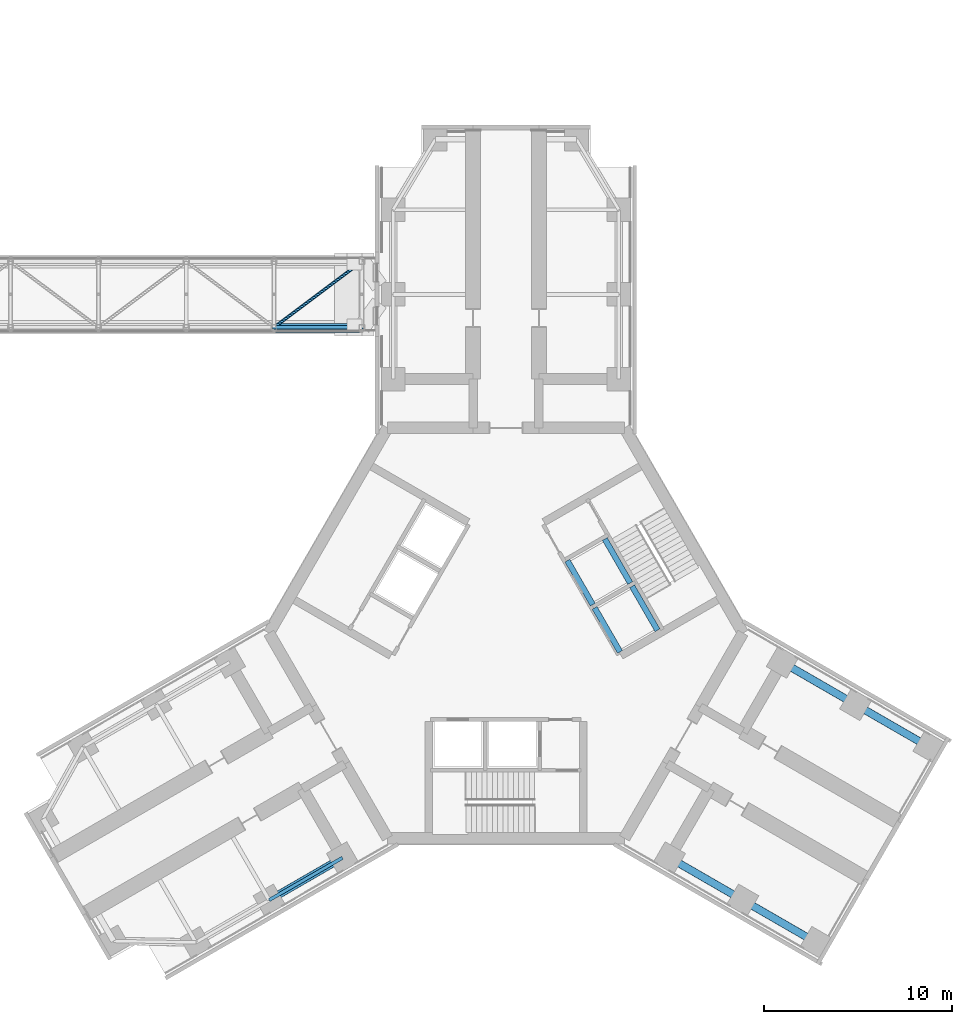
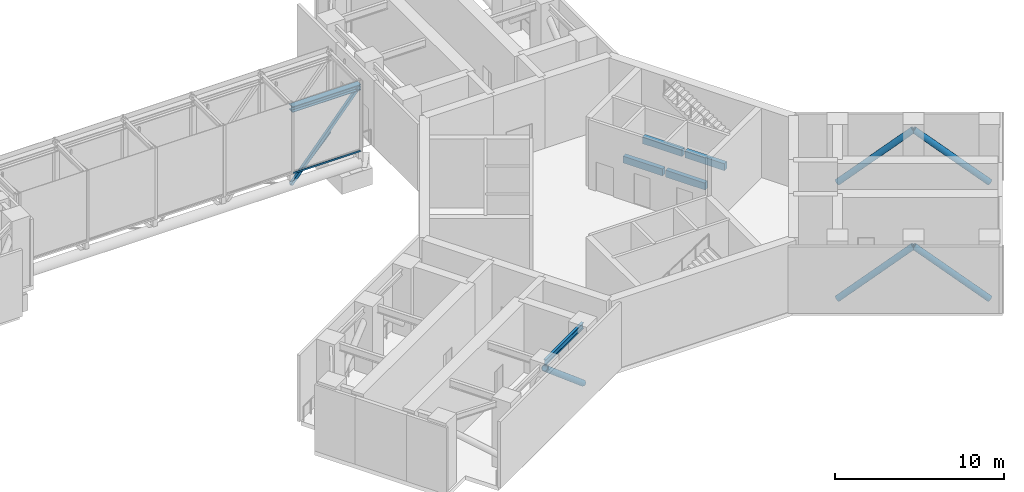
# One storey, part 4 of 15: 9 members, 5 beams, 1 element without a shape of its own.
"""IFC4 building model written with IfcOpenShell, lengths in metres."""

from ifc_helpers import new_model, si_unit, direction, frame, origin, origin_2d, place, context, subcontext, project, spatial, rectangle, hollow_rectangle, hollow_circle, i_section, extrude, material, material_profile, profile_set, type_object, element, aggregate, save


model = new_model("IFC4")

# Units and contexts
model_context = context("Model", 3, precision=1e-05, world=origin(), true_north=direction((0.0, 1.0)))
body_context = subcontext(model_context, "Body", "Model", "MODEL_VIEW")
ifc_project = project(units=[si_unit("LENGTHUNIT", "METRE"), si_unit("AREAUNIT", "SQUARE_METRE"), si_unit("VOLUMEUNIT", "CUBIC_METRE"), si_unit("PLANEANGLEUNIT", "RADIAN"), si_unit("MASSUNIT", "GRAM", prefix="KILO")], contexts=[model_context])

# Site, building, storey
site_placement = place(None, origin())
site = spatial("IfcSite", under=ifc_project, at=site_placement, CompositionType="ELEMENT")
building_placement = place(site_placement, origin())
building = spatial("IfcBuilding", under=site, at=building_placement, Name="Upepo Twin Towers", CompositionType="ELEMENT")
storey_placement = place(building_placement, frame((0.0, 0.0, 165.5)))
storey = spatial("IfcBuildingStorey", under=building, at=storey_placement, Name="L40", CompositionType="ELEMENT", Elevation=165.5)

# Beam
ifc_material_1 = material(Name="Steel S355", Category="steel")
ifc_material_profile_1 = material_profile(ifc_material_1, i_section(OverallWidth=0.177978515625, OverallDepth=0.406494140625, WebThickness=0.0078125, FlangeThickness=0.0126953125, FilletRadius=0.01025390625, at=origin_2d()), Name="UB 406x178x60")
ifc_profile_set_1 = profile_set([ifc_material_profile_1], Name="Steel S355")
beam_type_1 = type_object("IfcBeamType", Name="Beam UB 406x178x60", PredefinedType="BEAM", material=ifc_profile_set_1)
beam_1_placement = place(storey_placement, frame((49.80859375, -29.946044921875, 4.5966796875), z_axis=(-0.866017533419, -0.500013631625, 0.0), x_axis=(0.500013631625, -0.866017533419, 0.0)))
element("IfcBeam", 1, at=beam_1_placement, inside=storey, type_object=beam_type_1, Name="T2 edge beam BL 13.5-18.0", PredefinedType="BEAM", context=body_context, shape_type="SweptSolid", body=[
    extrude(i_section(OverallWidth=0.177978515625, OverallDepth=0.406494140625, WebThickness=0.0078125, FlangeThickness=0.0126953125, FilletRadius=0.01025390625, at=origin_2d()), origin(), (0.0, 0.0, 1.0), 4.499755859375),
])

# Members
ifc_material_2 = material(Name="Steel S355", Category="steel")
ifc_material_profile_2 = material_profile(ifc_material_2, hollow_circle(Radius=0.203125, WallThickness=0.02001953125, at=origin_2d()), Name="CHS 406.4x20.0")
ifc_profile_set_2 = profile_set([ifc_material_profile_2], Name="Steel S355")
member_type_1 = type_object("IfcMemberType", Name="Belt truss diagonal CHS 406.4x20.0", PredefinedType="BRACE", material=ifc_profile_set_2)
for number, where, z_axis, x_axis, name in (
    (2, (49.80859375, -29.946044921875, 0.39990234375), (-0.66165225517, -0.382018994089, 0.645195924804), (0.500013631625, -0.866017533419, 0.0), "T2 belt truss diagonal BL1"),
    (3, (73.19140625, -19.553955078125, 0.39990234375), (0.66165225517, -0.382018994089, 0.645195924804), (0.500013631625, 0.866017533419, 0.0), "T2 belt truss diagonal CL1"),
):
    element("IfcMember", number, at=place(storey_placement, frame(where, z_axis=z_axis, x_axis=x_axis)), inside=storey, type_object=member_type_1, Name=name, PredefinedType="BRACE", context=body_context, shape_type="SweptSolid", body=[
        extrude(hollow_circle(Radius=0.203125, WallThickness=0.02001953125, at=origin_2d()), origin(), (0.0, 0.0, 1.0), 5.8896484375),
    ])
member_1_placement = place(storey_placement, frame((80.985595703125, -24.053955078125, 0.39990234375), z_axis=(-0.66167555904, 0.382008516702, 0.645178229434), x_axis=(-0.499990139034, -0.866031096941, 0.0)))
element("IfcMember", 4, at=member_1_placement, inside=storey, type_object=member_type_1, Name="T2 belt truss diagonal CL2", PredefinedType="BRACE", context=body_context, shape_type="SweptSolid", body=[
    extrude(hollow_circle(Radius=0.203125, WallThickness=0.02001953125, at=origin_2d()), origin(), (0.0, 0.0, 1.0), 5.889892578125),
])
member_2_placement = place(storey_placement, frame((67.19140625, -29.946044921875, 0.39990234375), z_axis=(0.66165225517, -0.382018994089, 0.645195924804), x_axis=(0.500013631625, 0.866017533419, 0.0)))
element("IfcMember", 5, at=member_2_placement, inside=storey, type_object=member_type_1, Name="T2 belt truss diagonal CR1", PredefinedType="BRACE", context=body_context, shape_type="SweptSolid", body=[
    extrude(hollow_circle(Radius=0.203125, WallThickness=0.02001953125, at=origin_2d()), origin(), (0.0, 0.0, 1.0), 5.8896484375),
])
member_3_placement = place(storey_placement, frame((74.985595703125, -34.446044921875, 0.39990234375), z_axis=(-0.66167555904, 0.382008516702, 0.645178229434), x_axis=(-0.499990139034, -0.866031096941, 0.0)))
element("IfcMember", 6, at=member_3_placement, inside=storey, type_object=member_type_1, Name="T2 belt truss diagonal CR2", PredefinedType="BRACE", context=body_context, shape_type="SweptSolid", body=[
    extrude(hollow_circle(Radius=0.203125, WallThickness=0.02001953125, at=origin_2d()), origin(), (0.0, 0.0, 1.0), 5.889892578125),
])
ifc_material_3 = material(Name="Steel S355", Category="steel")
ifc_material_profile_3 = material_profile(ifc_material_3, i_section(OverallWidth=0.403076171875, OverallDepth=0.406494140625, WebThickness=0.026611328125, FlangeThickness=0.04296875, FilletRadius=0.01513671875, at=origin_2d()), Name="UC 356x406x340")
ifc_profile_set_3 = profile_set([ifc_material_profile_3], Name="Steel S355")
member_type_2 = type_object("IfcMemberType", Name="Bridge chord UC 356x406x340", PredefinedType="CHORD", material=ifc_profile_set_3)
member_4_placement = place(storey_placement, frame((46.172119140625, -1.75, 4.39990234375), z_axis=(1.0, 0.0, 0.0), x_axis=(0.0, 1.0, 0.0)))
element("IfcMember", 7, at=member_4_placement, inside=storey, type_object=member_type_2, Name="BR2 top chord S5", PredefinedType="CHORD", context=body_context, shape_type="SweptSolid", body=[
    extrude(i_section(OverallWidth=0.403076171875, OverallDepth=0.406494140625, WebThickness=0.026611328125, FlangeThickness=0.04296875, FilletRadius=0.01513671875, at=origin_2d()), origin(), (0.0, 0.0, 1.0), 4.66796875),
])
ifc_material_4 = material(Name="Steel S355", Category="steel")
ifc_material_profile_4 = material_profile(ifc_material_4, hollow_rectangle(XDim=0.199951171875, YDim=0.199951171875, WallThickness=0.010009765625, at=origin_2d()), Name="SHS 200x200x10.0")
ifc_profile_set_4 = profile_set([ifc_material_profile_4], Name="Steel S355")
member_type_3 = type_object("IfcMemberType", Name="Bridge diagonal SHS 200x200x10.0", PredefinedType="BRACE", material=ifc_profile_set_4)
member_5_placement = place(storey_placement, frame((46.172119140625, -1.75, -1.088623046875), z_axis=(0.647867731372, 0.0, 0.761752848795), x_axis=(0.0, 1.0, 0.0)))
element("IfcMember", 8, at=member_5_placement, inside=storey, type_object=member_type_3, Name="BR2 diagonal S5", PredefinedType="BRACE", context=body_context, shape_type="SweptSolid", body=[
    extrude(hollow_rectangle(XDim=0.199951171875, YDim=0.199951171875, WallThickness=0.010009765625, at=origin_2d()), origin(), (0.0, 0.0, 1.0), 7.205078125),
])
ifc_material_5 = material(Name="Steel S355", Category="steel")
ifc_material_profile_5 = material_profile(ifc_material_5, hollow_circle(Radius=0.084228515625, WallThickness=0.008056640625, at=origin_2d()), Name="CHS 168.3x8.0")
ifc_profile_set_5 = profile_set([ifc_material_profile_5], Name="Steel S355")
member_type_4 = type_object("IfcMemberType", Name="Bridge plan brace CHS 168.3x8.0", PredefinedType="BRACE", material=ifc_profile_set_5)
member_6_placement = place(storey_placement, frame((46.172119140625, -1.75, -1.088623046875), z_axis=(0.800080335623, 0.599892870894, 0.0), x_axis=(-0.599892870894, 0.800080335623, 0.0)))
element("IfcMember", 9, at=member_6_placement, inside=storey, type_object=member_type_4, Name="BR2 plan brace 5", PredefinedType="BRACE", context=body_context, shape_type="SweptSolid", body=[
    extrude(hollow_circle(Radius=0.084228515625, WallThickness=0.008056640625, at=origin_2d()), origin(), (0.0, 0.0, 1.0), 5.83447265625),
])

# Beams
ifc_material_6 = material(Name="Concrete C40/50", Category="concrete")
ifc_material_profile_6 = material_profile(ifc_material_6, rectangle(XDim=0.300048828125, YDim=0.5, at=origin_2d()), Name="RC 300x500")
ifc_profile_set_6 = profile_set([ifc_material_profile_6], Name="Concrete C40/50")
beam_type_2 = type_object("IfcBeamType", Name="Lift pit beam RC 300x500", PredefinedType="BEAM", material=ifc_profile_set_6)
for number, where, z_axis, x_axis, name in (
    (10, (64.563720703125, -19.00244140625, 2.85009765625), (-0.500048589285, 0.86599734893, 0.0), (-0.86599734893, -0.500048589285, 0.0), "T2 lift UL1 pit beam 1"),
    (11, (66.555419921875, -17.8525390625, 2.85009765625), (-0.4999416173, 0.866059108428, 0.0), (-0.866059108428, -0.4999416173, 0.0), "T2 lift UL1 pit beam 2"),
):
    element("IfcBeam", number, at=place(storey_placement, frame(where, z_axis=z_axis, x_axis=x_axis)), inside=storey, type_object=beam_type_2, Name=name, PredefinedType="BEAM", context=body_context, shape_type="SweptSolid", body=[
        extrude(rectangle(XDim=0.300048828125, YDim=0.5, at=origin_2d()), origin(), (0.0, 0.0, 1.0), 2.699951171875),
    ])
beam_2_placement = place(storey_placement, frame((63.113525390625, -16.490966796875, 2.85009765625), z_axis=(-0.499980770555, 0.866036505625, 0.0), x_axis=(-0.866036505625, -0.499980770555, 0.0)))
element("IfcBeam", 12, at=beam_2_placement, inside=storey, type_object=beam_type_2, Name="T2 lift UL2 pit beam 1", PredefinedType="BEAM", context=body_context, shape_type="SweptSolid", body=[
    extrude(rectangle(XDim=0.300048828125, YDim=0.5, at=origin_2d()), origin(), (0.0, 0.0, 1.0), 2.69970703125),
])
beam_3_placement = place(storey_placement, frame((65.10546875, -15.341064453125, 2.85009765625), z_axis=(-0.50000943426, 0.866019956843, 0.0), x_axis=(-0.866019956843, -0.50000943426, 0.0)))
element("IfcBeam", 13, at=beam_3_placement, inside=storey, type_object=beam_type_2, Name="T2 lift UL2 pit beam 2", PredefinedType="BEAM", context=body_context, shape_type="SweptSolid", body=[
    extrude(rectangle(XDim=0.300048828125, YDim=0.5, at=origin_2d()), origin(), (0.0, 0.0, 1.0), 2.7001953125),
])

# Curtain wall, member
ifc_material_7 = material(Name="Aluminium and clear glass", Category="aluminium")
curtain_wall_type = type_object("IfcCurtainWallType", Name="Bridge curtain wall BW1", PredefinedType="NOTDEFINED", material=ifc_material_7)
curtain_wall_placement = place(storey_placement, origin())
curtain_wall = element("IfcCurtainWall", 14, at=curtain_wall_placement, inside=storey, type_object=curtain_wall_type, Name="BR2 curtain wall S", PredefinedType="NOTDEFINED")
ifc_material_8 = material(Name="Aluminium transom", Category="aluminium")
ifc_material_profile_7 = material_profile(ifc_material_8, rectangle(XDim=0.06494140625, YDim=0.1201171875, at=origin_2d()), Name="TRANSOM 65x120 BRIDGE")
ifc_profile_set_7 = profile_set([ifc_material_profile_7], Name="Aluminium transom")
member_type_5 = type_object("IfcMemberType", Name="Transom 65x120 BW1", PredefinedType="USERDEFINED", material=ifc_profile_set_7)
member_7_placement = place(storey_placement, frame((46.20458984375, -1.97509765625, -0.139892578125), z_axis=(1.0, 0.0, 0.0), x_axis=(0.0, 1.0, 0.0)))
member_7 = element("IfcMember", 15, at=member_7_placement, type_object=member_type_5, Name="BR2 curtain wall S transom 5", ObjectType="TRANSOM", PredefinedType="USERDEFINED", context=body_context, shape_type="SweptSolid", body=[
    extrude(rectangle(XDim=0.06494140625, YDim=0.1201171875, at=origin_2d()), origin(), (0.0, 0.0, 1.0), 4.5703125),
])
aggregate(curtain_wall, [member_7])

save(model, "model.ifc")
